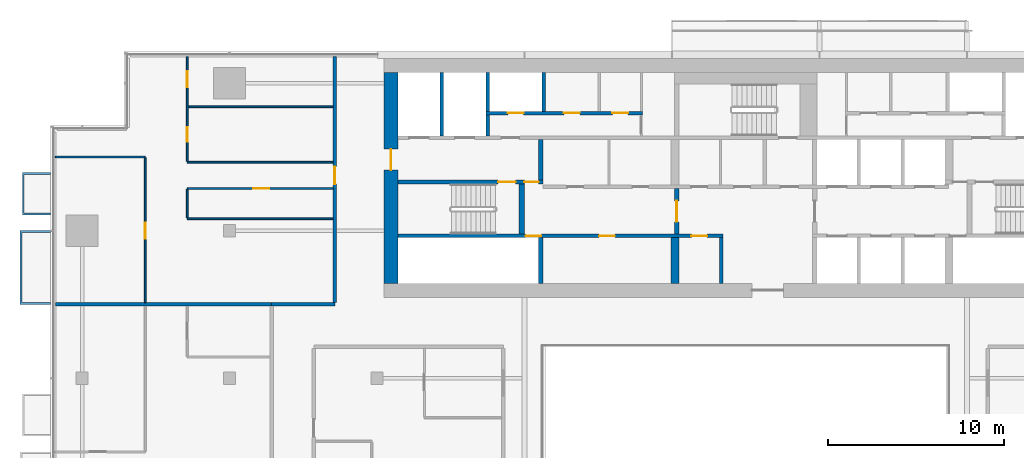
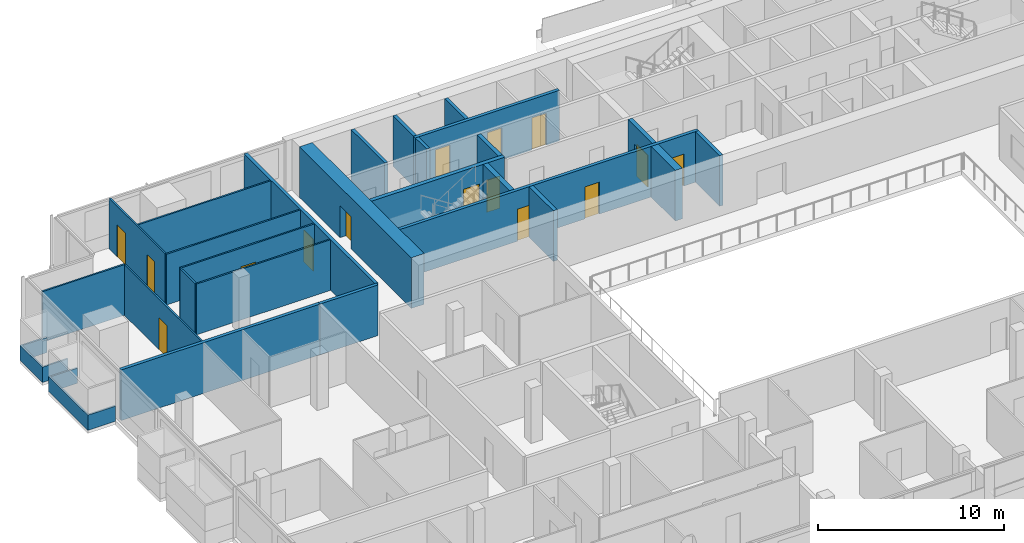
# One storey, part 21 of 28: 27 walls, 15 doors, 15 openings.
"""IFC4 building model written with IfcOpenShell, lengths in metres."""

from ifc_helpers import new_model, si_unit, direction, frame, frame_2d, origin, place, context, subcontext, project, spatial, polyline, rectangle, outline, extrude, material, layer, layer_set, type_object, element, fill, save


model = new_model("IFC4")

# Units and contexts
model_context = context("Model", 3, precision=1e-05, world=origin(), true_north=direction((0.0, 1.0)))
body_context = subcontext(model_context, "Body", "Model", "MODEL_VIEW")
ifc_project = project(units=[si_unit("LENGTHUNIT", "METRE"), si_unit("AREAUNIT", "SQUARE_METRE"), si_unit("VOLUMEUNIT", "CUBIC_METRE"), si_unit("PLANEANGLEUNIT", "RADIAN"), si_unit("MASSUNIT", "GRAM", prefix="KILO")], contexts=[model_context])

# Site, building, storey
site_placement = place(None, origin())
site = spatial("IfcSite", under=ifc_project, at=site_placement, CompositionType="ELEMENT")
building_placement = place(site_placement, origin())
building = spatial("IfcBuilding", under=site, at=building_placement, Name="Saffron Gate Tower", CompositionType="ELEMENT")
storey_placement = place(building_placement, frame((0.0, 0.0, 151.050048828125)))
storey = spatial("IfcBuildingStorey", under=building, at=storey_placement, Name="L36", CompositionType="ELEMENT", Elevation=151.050048828125)

# Wall
ifc_material_1 = material(Name="Gypsum board partition on steel studs", Category="steel")
ifc_layer_1 = layer(ifc_material_1, 0.199951171875)
ifc_layer_set_1 = layer_set([ifc_layer_1], Name="CW10 Core partition 200")
wall_type_1 = type_object("IfcWallType", Name="CW10 Core partition 200", PredefinedType="PARTITIONING", material=ifc_layer_set_1)
wall_1_placement = place(storey_placement, frame((86.199951171875, 62.39990234375, 0.0), z_axis=(0.0, 0.0, 1.0), x_axis=(0.0, 1.0, 0.0)))
element("IfcWall", 1, at=wall_1_placement, inside=storey, type_object=wall_type_1, Name="Wall CW10-L36-7", PredefinedType="PARTITIONING", context=body_context, shape_type="SweptSolid", body=[
    extrude(rectangle(XDim=2.60009765625, YDim=0.199951171875, at=frame_2d((1.300048828125, 0.0))), origin(), (0.0, 0.0, 1.0), 3.320068359375),
])

# Wall, opening, door
ifc_material_2 = material(Name="Concrete C60", Category="concrete")
ifc_layer_2 = layer(ifc_material_2, 0.800048828125)
ifc_layer_set_2 = layer_set([ifc_layer_2], Name="CW13 RC core wall 800 C60")
wall_type_2 = type_object("IfcWallType", Name="CW13 RC core wall 800 C60", PredefinedType="SOLIDWALL", material=ifc_layer_set_2)
wall_2_placement = place(storey_placement, frame((67.39990234375, 62.39990234375, 0.0), z_axis=(0.0, 0.0, 1.0), x_axis=(0.0, 1.0, 0.0)))
wall_2 = element("IfcWall", 2, at=wall_2_placement, inside=storey, type_object=wall_type_2, Name="Wall CW13-L36-3", PredefinedType="SOLIDWALL", context=body_context, shape_type="SweptSolid", body=[
    extrude(rectangle(XDim=12.0, YDim=0.800048828125, at=frame_2d((6.0, 0.0))), origin(), (0.0, 0.0, 1.0), 3.320068359375),
])
opening_1_placement = place(wall_2_placement, frame((6.449951171875, 0.0, 0.0)))
opening_1 = element("IfcOpeningElement", 3, at=opening_1_placement, cuts=wall_2, Name="Opening CR-10", PredefinedType="OPENING", context=body_context, shape_type="SweptSolid", body=[
    extrude(rectangle(XDim=1.199951171875, YDim=2.10009765625, at=frame_2d((0.60009765625, 1.050048828125))), frame((0.0, 0.41015625, 0.0), z_axis=(0.0, -1.0, 0.0), x_axis=(1.0, 0.0, 0.0)), (0.0, 0.0, 1.0), 0.820068359375),
])
ifc_material_3 = material(Name="Steel fire door set", Category="steel")
door_type_1 = type_object("IfcDoorType", Name="CD7 Core entrance door 1200x2100 EI 120", OperationType="NOTDEFINED", PredefinedType="DOOR", material=ifc_material_3)
door_1_placement = place(opening_1_placement, origin())
door_1 = element("IfcDoor", 4, at=door_1_placement, inside=storey, type_object=door_type_1, Name="DOOR CR-10", OperationType="SINGLE_SWING_LEFT", OverallHeight=2.10009765625, OverallWidth=1.199951171875, PredefinedType="DOOR", context=body_context, shape_type="SweptSolid", body=[
    extrude(rectangle(XDim=1.199951171875, YDim=2.10009765625, at=frame_2d((0.60009765625, 1.050048828125))), frame((0.0, 0.02490234375, 0.0), z_axis=(0.0, -1.0, 0.0), x_axis=(1.0, 0.0, 0.0)), (0.0, 0.0, 1.0), 0.050048828125),
])
fill(opening_1, door_1)

# Wall
ifc_layer_3 = layer(ifc_material_2, 0.25)
ifc_layer_set_3 = layer_set([ifc_layer_3], Name="CW14 RC core wall 250 C60")
wall_type_3 = type_object("IfcWallType", Name="CW14 RC core wall 250 C60", PredefinedType="SOLIDWALL", material=ifc_layer_set_3)
wall_3_placement = place(storey_placement, frame((75.925048828125, 62.39990234375, 0.0), z_axis=(0.0, 0.0, 1.0), x_axis=(0.0, 1.0, 0.0)))
element("IfcWall", 5, at=wall_3_placement, inside=storey, type_object=wall_type_3, Name="Wall CW14-L36-5", PredefinedType="SOLIDWALL", context=body_context, shape_type="SweptSolid", body=[
    extrude(rectangle(XDim=2.60009765625, YDim=0.25, at=frame_2d((1.300048828125, 0.0))), origin(), (0.0, 0.0, 1.0), 3.320068359375),
])

# Wall, opening, door
wall_4_placement = place(storey_placement, frame((83.675048828125, 65.199951171875, 0.0), z_axis=(0.0, 0.0, 1.0), x_axis=(0.0, 1.0, 0.0)))
wall_4 = element("IfcWall", 6, at=wall_4_placement, inside=storey, type_object=wall_type_3, Name="Wall CW14-L36-15", PredefinedType="SOLIDWALL", context=body_context, shape_type="SweptSolid", body=[
    extrude(rectangle(XDim=2.60009765625, YDim=0.25, at=frame_2d((1.300048828125, 0.0))), origin(), (0.0, 0.0, 1.0), 3.320068359375),
])
opening_2_placement = place(wall_4_placement, frame((0.699951171875, 0.0, 0.0)))
opening_2 = element("IfcOpeningElement", 7, at=opening_2_placement, cuts=wall_4, Name="Opening CR-07", PredefinedType="OPENING", context=body_context, shape_type="SweptSolid", body=[
    extrude(rectangle(XDim=1.199951171875, YDim=2.10009765625, at=frame_2d((0.60009765625, 1.050048828125))), frame((0.0, 0.135009765625, 0.0), z_axis=(0.0, -1.0, 0.0), x_axis=(1.0, 0.0, 0.0)), (0.0, 0.0, 1.0), 0.27001953125),
])
door_type_2 = type_object("IfcDoorType", Name="CD3 Lobby door 1200x2100 EI 120", OperationType="NOTDEFINED", PredefinedType="DOOR", material=ifc_material_3)
door_2_placement = place(opening_2_placement, origin())
door_2 = element("IfcDoor", 8, at=door_2_placement, inside=storey, type_object=door_type_2, Name="DOOR CR-07", OperationType="SINGLE_SWING_RIGHT", OverallHeight=2.10009765625, OverallWidth=1.199951171875, PredefinedType="DOOR", context=body_context, shape_type="SweptSolid", body=[
    extrude(rectangle(XDim=1.199951171875, YDim=2.10009765625, at=frame_2d((0.60009765625, 1.050048828125))), frame((0.0, 0.02490234375, 0.0), z_axis=(0.0, -1.0, 0.0), x_axis=(1.0, 0.0, 0.0)), (0.0, 0.0, 1.0), 0.050048828125),
])
fill(opening_2, door_2)

# Wall, openings, doors
wall_5_placement = place(storey_placement, frame((67.800048828125, 68.175048828125, 0.0), z_axis=(0.0, 0.0, 1.0), x_axis=(1.0, 0.0, 0.0)))
wall_5 = element("IfcWall", 9, at=wall_5_placement, inside=storey, type_object=wall_type_3, Name="Wall CW14-L36-27", PredefinedType="SOLIDWALL", context=body_context, shape_type="SweptSolid", body=[
    extrude(rectangle(XDim=8.25, YDim=0.25, at=frame_2d((4.125, 0.0))), origin(), (0.0, 0.0, 1.0), 3.320068359375),
])
opening_3_placement = place(wall_5_placement, frame((5.699951171875, 0.0, 0.0)))
opening_3 = element("IfcOpeningElement", 10, at=opening_3_placement, cuts=wall_5, Name="Opening CR-15", PredefinedType="OPENING", context=body_context, shape_type="SweptSolid", body=[
    extrude(rectangle(XDim=1.0, YDim=2.10009765625, at=frame_2d((0.5, 1.050048828125))), frame((0.0, 0.135009765625, 0.0), z_axis=(0.0, -1.0, 0.0), x_axis=(1.0, 0.0, 0.0)), (0.0, 0.0, 1.0), 0.27001953125),
])
opening_4_placement = place(wall_5_placement, frame((7.199951171875, 0.0, 0.0)))
opening_4 = element("IfcOpeningElement", 11, at=opening_4_placement, cuts=wall_5, Name="Opening CR-06", PredefinedType="OPENING", context=body_context, shape_type="SweptSolid", body=[
    extrude(rectangle(XDim=0.800048828125, YDim=2.10009765625, at=frame_2d((0.39990234375, 1.050048828125))), frame((0.0, 0.135009765625, 0.0), z_axis=(0.0, -1.0, 0.0), x_axis=(1.0, 0.0, 0.0)), (0.0, 0.0, 1.0), 0.27001953125),
])
door_type_3 = type_object("IfcDoorType", Name="CD5 Stair door 1000x2100 EI 120", OperationType="NOTDEFINED", PredefinedType="DOOR", material=ifc_material_3)
door_3_placement = place(opening_3_placement, origin())
door_3 = element("IfcDoor", 12, at=door_3_placement, inside=storey, type_object=door_type_3, Name="DOOR CR-15", OperationType="SINGLE_SWING_RIGHT", OverallHeight=2.10009765625, OverallWidth=1.0, PredefinedType="DOOR", context=body_context, shape_type="SweptSolid", body=[
    extrude(rectangle(XDim=1.0, YDim=2.10009765625, at=frame_2d((0.5, 1.050048828125))), frame((0.0, 0.02490234375, 0.0), z_axis=(0.0, -1.0, 0.0), x_axis=(1.0, 0.0, 0.0)), (0.0, 0.0, 1.0), 0.050048828125),
])
fill(opening_3, door_3)
door_type_4 = type_object("IfcDoorType", Name="CD6 Lobby door 800x2100 EI 120", OperationType="NOTDEFINED", PredefinedType="DOOR", material=ifc_material_3)
door_4_placement = place(opening_4_placement, origin())
door_4 = element("IfcDoor", 13, at=door_4_placement, inside=storey, type_object=door_type_4, Name="DOOR CR-06", OperationType="SINGLE_SWING_LEFT", OverallHeight=2.10009765625, OverallWidth=0.800048828125, PredefinedType="DOOR", context=body_context, shape_type="SweptSolid", body=[
    extrude(rectangle(XDim=0.800048828125, YDim=2.10009765625, at=frame_2d((0.39990234375, 1.050048828125))), frame((0.0, 0.02490234375, 0.0), z_axis=(0.0, -1.0, 0.0), x_axis=(1.0, 0.0, 0.0)), (0.0, 0.0, 1.0), 0.050048828125),
])
fill(opening_4, door_4)

# Wall
wall_6_placement = place(storey_placement, frame((75.925048828125, 68.300048828125, 0.0), z_axis=(0.0, 0.0, 1.0), x_axis=(0.0, 1.0, 0.0)))
element("IfcWall", 14, at=wall_6_placement, inside=storey, type_object=wall_type_3, Name="Wall CW14-L36-29", PredefinedType="SOLIDWALL", context=body_context, shape_type="SweptSolid", body=[
    extrude(rectangle(XDim=2.300048828125, YDim=0.25, at=frame_2d((1.14990234375, 0.0))), origin(), (0.0, 0.0, 1.0), 3.320068359375),
])

# Wall, openings, doors
ifc_layer_4 = layer(ifc_material_2, 0.199951171875)
ifc_layer_set_4 = layer_set([ifc_layer_4], Name="CW15 RC core wall 200 C60")
wall_type_4 = type_object("IfcWallType", Name="CW15 RC core wall 200 C60", PredefinedType="SOLIDWALL", material=ifc_layer_set_4)
wall_7_placement = place(storey_placement, frame((67.800048828125, 65.10009765625, 0.0), z_axis=(0.0, 0.0, 1.0), x_axis=(1.0, 0.0, 0.0)))
wall_7 = element("IfcWall", 15, at=wall_7_placement, inside=storey, type_object=wall_type_4, Name="Wall CW15-L36-12", PredefinedType="SOLIDWALL", context=body_context, shape_type="SweptSolid", body=[
    extrude(rectangle(XDim=18.5, YDim=0.199951171875, at=frame_2d((9.25, 0.0))), origin(), (0.0, 0.0, 1.0), 3.320068359375),
])
opening_5_placement = place(wall_7_placement, frame((7.27001953125, 0.0, 0.0)))
opening_5 = element("IfcOpeningElement", 16, at=opening_5_placement, cuts=wall_7, Name="Opening CR-49", PredefinedType="OPENING", context=body_context, shape_type="SweptSolid", body=[
    extrude(rectangle(XDim=0.89990234375, YDim=2.10009765625, at=frame_2d((0.449951171875, 1.050048828125))), frame((0.0, 0.10986328125, 0.0), z_axis=(0.0, -1.0, 0.0), x_axis=(1.0, 0.0, 0.0)), (0.0, 0.0, 1.0), 0.219970703125),
])
opening_6_placement = place(wall_7_placement, frame((11.449951171875, 0.0, 0.0)))
opening_6 = element("IfcOpeningElement", 17, at=opening_6_placement, cuts=wall_7, Name="Opening CR-64", PredefinedType="OPENING", context=body_context, shape_type="SweptSolid", body=[
    extrude(rectangle(XDim=0.89990234375, YDim=2.10009765625, at=frame_2d((0.449951171875, 1.050048828125))), frame((0.0, 0.10986328125, 0.0), z_axis=(0.0, -1.0, 0.0), x_axis=(1.0, 0.0, 0.0)), (0.0, 0.0, 1.0), 0.219970703125),
])
opening_7_placement = place(wall_7_placement, frame((16.699951171875, 0.0, 0.0)))
opening_7 = element("IfcOpeningElement", 18, at=opening_7_placement, cuts=wall_7, Name="Opening CR-69", PredefinedType="OPENING", context=body_context, shape_type="SweptSolid", body=[
    extrude(rectangle(XDim=0.89990234375, YDim=2.10009765625, at=frame_2d((0.449951171875, 1.050048828125))), frame((0.0, 0.10986328125, 0.0), z_axis=(0.0, -1.0, 0.0), x_axis=(1.0, 0.0, 0.0)), (0.0, 0.0, 1.0), 0.219970703125),
])
door_type_5 = type_object("IfcDoorType", Name="CD2 Riser door 900x2100 EI 60", OperationType="NOTDEFINED", PredefinedType="DOOR", material=ifc_material_3)
door_5_placement = place(opening_5_placement, origin())
door_5 = element("IfcDoor", 19, at=door_5_placement, inside=storey, type_object=door_type_5, Name="DOOR CR-49", OperationType="SINGLE_SWING_LEFT", OverallHeight=2.10009765625, OverallWidth=0.89990234375, PredefinedType="DOOR", context=body_context, shape_type="SweptSolid", body=[
    extrude(rectangle(XDim=0.89990234375, YDim=2.10009765625, at=frame_2d((0.449951171875, 1.050048828125))), frame((0.0, 0.02490234375, 0.0), z_axis=(0.0, -1.0, 0.0), x_axis=(1.0, 0.0, 0.0)), (0.0, 0.0, 1.0), 0.050048828125),
])
fill(opening_5, door_5)
door_type_6 = type_object("IfcDoorType", Name="CD9 Room door 900x2100 EI 60", OperationType="NOTDEFINED", PredefinedType="DOOR", material=ifc_material_3)
door_6_placement = place(opening_6_placement, origin())
door_6 = element("IfcDoor", 20, at=door_6_placement, inside=storey, type_object=door_type_6, Name="DOOR CR-64", OperationType="SINGLE_SWING_RIGHT", OverallHeight=2.10009765625, OverallWidth=0.89990234375, PredefinedType="DOOR", context=body_context, shape_type="SweptSolid", body=[
    extrude(rectangle(XDim=0.89990234375, YDim=2.10009765625, at=frame_2d((0.449951171875, 1.050048828125))), frame((0.0, 0.02490234375, 0.0), z_axis=(0.0, -1.0, 0.0), x_axis=(1.0, 0.0, 0.0)), (0.0, 0.0, 1.0), 0.050048828125),
])
fill(opening_6, door_6)
door_7_placement = place(opening_7_placement, origin())
door_7 = element("IfcDoor", 21, at=door_7_placement, inside=storey, type_object=door_type_6, Name="DOOR CR-69", OperationType="SINGLE_SWING_RIGHT", OverallHeight=2.10009765625, OverallWidth=0.89990234375, PredefinedType="DOOR", context=body_context, shape_type="SweptSolid", body=[
    extrude(rectangle(XDim=0.89990234375, YDim=2.10009765625, at=frame_2d((0.449951171875, 1.050048828125))), frame((0.0, 0.02490234375, 0.0), z_axis=(0.0, -1.0, 0.0), x_axis=(1.0, 0.0, 0.0)), (0.0, 0.0, 1.0), 0.050048828125),
])
fill(opening_7, door_7)

# Walls
wall_8_placement = place(storey_placement, frame((70.300048828125, 70.800048828125, 0.0), z_axis=(0.0, 0.0, 1.0), x_axis=(0.0, 1.0, 0.0)))
element("IfcWall", 22, at=wall_8_placement, inside=storey, type_object=wall_type_4, Name="Wall CW15-L36-32", PredefinedType="SOLIDWALL", context=body_context, shape_type="SweptSolid", body=[
    extrude(rectangle(XDim=3.599853515625, YDim=0.199951171875, at=frame_2d((1.7998046875, 0.0))), origin(), (0.0, 0.0, 1.0), 3.320068359375),
])
wall_9_placement = place(storey_placement, frame((72.89990234375, 70.800048828125, 0.0), z_axis=(0.0, 0.0, 1.0), x_axis=(0.0, 1.0, 0.0)))
element("IfcWall", 23, at=wall_9_placement, inside=storey, type_object=wall_type_4, Name="Wall CW15-L36-33", PredefinedType="SOLIDWALL", context=body_context, shape_type="SweptSolid", body=[
    extrude(rectangle(XDim=1.199951171875, YDim=0.199951171875, at=frame_2d((0.60009765625, 0.0))), origin(), (0.0, 0.0, 1.0), 3.320068359375),
])

# Wall, openings, doors
wall_10_placement = place(storey_placement, frame((72.800048828125, 72.10009765625, 0.0), z_axis=(0.0, 0.0, 1.0), x_axis=(1.0, 0.0, 0.0)))
wall_10 = element("IfcWall", 24, at=wall_10_placement, inside=storey, type_object=wall_type_4, Name="Wall CW15-L36-40", PredefinedType="SOLIDWALL", context=body_context, shape_type="SweptSolid", body=[
    extrude(rectangle(XDim=8.919921875, YDim=0.199951171875, at=frame_2d((4.4599609375, 0.0))), origin(), (0.0, 0.0, 1.0), 3.320068359375),
])
opening_8_placement = place(wall_10_placement, frame((1.25, 0.0, 0.0)))
opening_8 = element("IfcOpeningElement", 25, at=opening_8_placement, cuts=wall_10, Name="Opening CR-71", PredefinedType="OPENING", context=body_context, shape_type="SweptSolid", body=[
    extrude(rectangle(XDim=0.89990234375, YDim=2.10009765625, at=frame_2d((0.449951171875, 1.050048828125))), frame((0.0, 0.10986328125, 0.0), z_axis=(0.0, -1.0, 0.0), x_axis=(1.0, 0.0, 0.0)), (0.0, 0.0, 1.0), 0.219970703125),
])
opening_9_placement = place(wall_10_placement, frame((4.449951171875, 0.0, 0.0)))
opening_9 = element("IfcOpeningElement", 26, at=opening_9_placement, cuts=wall_10, Name="Opening CR-55", PredefinedType="OPENING", context=body_context, shape_type="SweptSolid", body=[
    extrude(rectangle(XDim=0.89990234375, YDim=2.10009765625, at=frame_2d((0.449951171875, 1.050048828125))), frame((0.0, 0.10986328125, 0.0), z_axis=(0.0, -1.0, 0.0), x_axis=(1.0, 0.0, 0.0)), (0.0, 0.0, 1.0), 0.219970703125),
])
opening_10_placement = place(wall_10_placement, frame((7.2099609375, 0.0, 0.0)))
opening_10 = element("IfcOpeningElement", 27, at=opening_10_placement, cuts=wall_10, Name="Opening CR-58", PredefinedType="OPENING", context=body_context, shape_type="SweptSolid", body=[
    extrude(rectangle(XDim=0.89990234375, YDim=2.10009765625, at=frame_2d((0.449951171875, 1.050048828125))), frame((0.0, 0.10986328125, 0.0), z_axis=(0.0, -1.0, 0.0), x_axis=(1.0, 0.0, 0.0)), (0.0, 0.0, 1.0), 0.219970703125),
])
door_8_placement = place(opening_8_placement, origin())
door_8 = element("IfcDoor", 28, at=door_8_placement, inside=storey, type_object=door_type_5, Name="DOOR CR-71", OperationType="SINGLE_SWING_LEFT", OverallHeight=2.10009765625, OverallWidth=0.89990234375, PredefinedType="DOOR", context=body_context, shape_type="SweptSolid", body=[
    extrude(rectangle(XDim=0.89990234375, YDim=2.10009765625, at=frame_2d((0.449951171875, 1.050048828125))), frame((0.0, 0.02490234375, 0.0), z_axis=(0.0, -1.0, 0.0), x_axis=(1.0, 0.0, 0.0)), (0.0, 0.0, 1.0), 0.050048828125),
])
fill(opening_8, door_8)
door_9_placement = place(opening_9_placement, origin())
door_9 = element("IfcDoor", 29, at=door_9_placement, inside=storey, type_object=door_type_6, Name="DOOR CR-55", OperationType="SINGLE_SWING_LEFT", OverallHeight=2.10009765625, OverallWidth=0.89990234375, PredefinedType="DOOR", context=body_context, shape_type="SweptSolid", body=[
    extrude(rectangle(XDim=0.89990234375, YDim=2.10009765625, at=frame_2d((0.449951171875, 1.050048828125))), frame((0.0, 0.02490234375, 0.0), z_axis=(0.0, -1.0, 0.0), x_axis=(1.0, 0.0, 0.0)), (0.0, 0.0, 1.0), 0.050048828125),
])
fill(opening_9, door_9)
door_10_placement = place(opening_10_placement, origin())
door_10 = element("IfcDoor", 30, at=door_10_placement, inside=storey, type_object=door_type_6, Name="DOOR CR-58", OperationType="SINGLE_SWING_LEFT", OverallHeight=2.10009765625, OverallWidth=0.89990234375, PredefinedType="DOOR", context=body_context, shape_type="SweptSolid", body=[
    extrude(rectangle(XDim=0.89990234375, YDim=2.10009765625, at=frame_2d((0.449951171875, 1.050048828125))), frame((0.0, 0.02490234375, 0.0), z_axis=(0.0, -1.0, 0.0), x_axis=(1.0, 0.0, 0.0)), (0.0, 0.0, 1.0), 0.050048828125),
])
fill(opening_10, door_10)

# Walls
for number, where, z_axis, x_axis, name in (
    (31, (72.89990234375, 72.199951171875, 0.0), (0.0, 0.0, 1.0), (0.0, 1.0, 0.0), "Wall CW15-L36-42"),
    (32, (76.10009765625, 72.199951171875, 0.0), (0.0, 0.0, 1.0), (0.0, 1.0, 0.0), "Wall CW15-L36-43"),
):
    element("IfcWall", number, at=place(storey_placement, frame(where, z_axis=z_axis, x_axis=x_axis)), inside=storey, type_object=wall_type_4, Name=name, PredefinedType="SOLIDWALL", context=body_context, shape_type="SweptSolid", body=[
        extrude(rectangle(XDim=2.199951171875, YDim=0.199951171875, at=frame_2d((1.10009765625, 0.0))), origin(), (0.0, 0.0, 1.0), 3.320068359375),
    ])
ifc_layer_5 = layer(ifc_material_2, 0.449951171875)
ifc_layer_set_5 = layer_set([ifc_layer_5], Name="CW16 RC core wall 450 C60")
wall_type_5 = type_object("IfcWallType", Name="CW16 RC core wall 450 C60", PredefinedType="SOLIDWALL", material=ifc_layer_set_5)
wall_11_placement = place(storey_placement, frame((83.574951171875, 62.39990234375, 0.0), z_axis=(0.0, 0.0, 1.0), x_axis=(0.0, 1.0, 0.0)))
element("IfcWall", 33, at=wall_11_placement, inside=storey, type_object=wall_type_5, Name="Wall CW16-L36-6", PredefinedType="SOLIDWALL", context=body_context, shape_type="SweptSolid", body=[
    extrude(rectangle(XDim=2.60009765625, YDim=0.449951171875, at=frame_2d((1.300048828125, 0.0))), origin(), (0.0, 0.0, 1.0), 3.320068359375),
])
ifc_layer_6 = layer(ifc_material_2, 0.300048828125)
ifc_layer_set_6 = layer_set([ifc_layer_6], Name="CW17 RC core wall 300 C60")
wall_type_6 = type_object("IfcWallType", Name="CW17 RC core wall 300 C60", PredefinedType="SOLIDWALL", material=ifc_layer_set_6)
wall_12_placement = place(storey_placement, frame((74.85009765625, 65.199951171875, 0.0), z_axis=(0.0, 0.0, 1.0), x_axis=(0.0, 1.0, 0.0)))
element("IfcWall", 34, at=wall_12_placement, inside=storey, type_object=wall_type_6, Name="Wall CW17-L36-14", PredefinedType="SOLIDWALL", context=body_context, shape_type="SweptSolid", body=[
    extrude(rectangle(XDim=2.85009765625, YDim=0.300048828125, at=frame_2d((1.425048828125, 0.0))), origin(), (0.0, 0.0, 1.0), 3.320068359375),
])
ifc_material_4 = material(Name="Plasterboard on steel studs", Category="steel")
ifc_layer_7 = layer(ifc_material_4, 0.10009765625)
ifc_layer_set_7 = layer_set([ifc_layer_7], Name="PW1 Partition 100")
wall_type_7 = type_object("IfcWallType", Name="PW1 Partition 100", PredefinedType="PARTITIONING", material=ifc_layer_set_7)
wall_13_placement = place(storey_placement, frame((55.800048828125, 66.0810546875, 0.0), z_axis=(0.0, 0.0, 1.0), x_axis=(1.0, 0.0, 0.0)))
element("IfcWall", 35, at=wall_13_placement, inside=storey, type_object=wall_type_7, Name="Partition C1-48", PredefinedType="PARTITIONING", context=body_context, shape_type="SweptSolid", body=[
    extrude(rectangle(XDim=8.300048828125, YDim=0.10009765625, at=frame_2d((4.14990234375, 0.0))), origin(), (0.0, 0.0, 1.0), 3.320068359375),
])

# Wall, opening, door
wall_14_placement = place(storey_placement, frame((64.10009765625, 67.800048828125, 0.0), z_axis=(0.0, 0.0, 1.0), x_axis=(-1.0, 0.0, 0.0)))
wall_14 = element("IfcWall", 36, at=wall_14_placement, inside=storey, type_object=wall_type_7, Name="Partition C1-50", PredefinedType="PARTITIONING", context=body_context, shape_type="SweptSolid", body=[
    extrude(rectangle(XDim=8.300048828125, YDim=0.10009765625, at=frame_2d((4.14990234375, 0.0))), origin(), (0.0, 0.0, 1.0), 3.320068359375),
])
opening_11_placement = place(wall_14_placement, frame((3.64990234375, 0.0, 0.0)))
opening_11 = element("IfcOpeningElement", 37, at=opening_11_placement, cuts=wall_14, Name="Opening C1-29", PredefinedType="OPENING", context=body_context, shape_type="SweptSolid", body=[
    extrude(rectangle(XDim=0.89990234375, YDim=2.10009765625, at=frame_2d((0.449951171875, 1.050048828125))), frame((0.0, 0.06005859375, 0.0), z_axis=(0.0, -1.0, 0.0), x_axis=(1.0, 0.0, 0.0)), (0.0, 0.0, 1.0), 0.1201171875),
])
ifc_material_5 = material(Name="Timber door set", Category="wood")
door_type_7 = type_object("IfcDoorType", Name="RD1 Room door 900x2100", OperationType="NOTDEFINED", PredefinedType="DOOR", material=ifc_material_5)
door_11_placement = place(opening_11_placement, origin())
door_11 = element("IfcDoor", 38, at=door_11_placement, inside=storey, type_object=door_type_7, Name="Door C1-29", OperationType="SINGLE_SWING_LEFT", OverallHeight=2.10009765625, OverallWidth=0.89990234375, PredefinedType="DOOR", context=body_context, shape_type="SweptSolid", body=[
    extrude(rectangle(XDim=0.89990234375, YDim=2.10009765625, at=frame_2d((0.449951171875, 1.050048828125))), frame((0.0, 0.02490234375, 0.0), z_axis=(0.0, -1.0, 0.0), x_axis=(1.0, 0.0, 0.0)), (0.0, 0.0, 1.0), 0.050048828125),
])
fill(opening_11, door_11)

# Walls
wall_15_placement = place(storey_placement, frame((55.800048828125, 69.300048828125, 0.0), z_axis=(0.0, 0.0, 1.0), x_axis=(1.0, 0.0, 0.0)))
element("IfcWall", 39, at=wall_15_placement, inside=storey, type_object=wall_type_7, Name="Partition C1-51", PredefinedType="PARTITIONING", context=body_context, shape_type="SweptSolid", body=[
    extrude(rectangle(XDim=8.300048828125, YDim=0.10009765625, at=frame_2d((4.14990234375, 0.0))), origin(), (0.0, 0.0, 1.0), 3.320068359375),
])
wall_16_placement = place(storey_placement, frame((48.280029296875, 69.60009765625, 0.0), z_axis=(0.0, 0.0, 1.0), x_axis=(1.0, 0.0, 0.0)))
element("IfcWall", 40, at=wall_16_placement, inside=storey, type_object=wall_type_7, Name="Partition C1-52", PredefinedType="PARTITIONING", context=body_context, shape_type="SweptSolid", body=[
    extrude(rectangle(XDim=5.119873046875, YDim=0.10009765625, at=frame_2d((2.56005859375, 0.0))), origin(), (0.0, 0.0, 1.0), 3.320068359375),
])
wall_17_placement = place(storey_placement, frame((55.85009765625, 72.454833984375, 0.0), z_axis=(0.0, 0.0, 1.0), x_axis=(1.0, 0.0, 0.0)))
element("IfcWall", 41, at=wall_17_placement, inside=storey, type_object=wall_type_7, Name="Partition C1-56", PredefinedType="PARTITIONING", context=body_context, shape_type="SweptSolid", body=[
    extrude(rectangle(XDim=8.25, YDim=0.10009765625, at=frame_2d((4.125, 0.0))), origin(), (0.0, 0.0, 1.0), 3.320068359375),
])
wall_18_placement = place(storey_placement, frame((55.800048828125, 67.75, 0.0), z_axis=(0.0, 0.0, 1.0), x_axis=(0.0, -1.0, 0.0)))
element("IfcWall", 42, at=wall_18_placement, inside=storey, type_object=wall_type_7, Name="Partition C1-62", PredefinedType="PARTITIONING", context=body_context, shape_type="SweptSolid", body=[
    extrude(rectangle(XDim=1.618896484375, YDim=0.10009765625, at=frame_2d((0.8095703125, 0.0))), origin(), (0.0, 0.0, 1.0), 3.320068359375),
])

# Wall, openings, doors
wall_19_placement = place(storey_placement, frame((55.800048828125, 75.320068359375, 0.0), z_axis=(0.0, 0.0, 1.0), x_axis=(0.0, -1.0, 0.0)))
wall_19 = element("IfcWall", 43, at=wall_19_placement, inside=storey, type_object=wall_type_7, Name="Partition C1-63", PredefinedType="PARTITIONING", context=body_context, shape_type="SweptSolid", body=[
    extrude(rectangle(XDim=5.969970703125, YDim=0.10009765625, at=frame_2d((2.98486328125, 0.0))), origin(), (0.0, 0.0, 1.0), 3.320068359375),
])
opening_12_placement = place(wall_19_placement, frame((0.842529296875, 0.0, 0.0)))
opening_12 = element("IfcOpeningElement", 44, at=opening_12_placement, cuts=wall_19, Name="Opening C1-30", PredefinedType="OPENING", context=body_context, shape_type="SweptSolid", body=[
    extrude(rectangle(XDim=0.89990234375, YDim=2.10009765625, at=frame_2d((0.449951171875, 1.050048828125))), frame((0.0, 0.06005859375, 0.0), z_axis=(0.0, -1.0, 0.0), x_axis=(1.0, 0.0, 0.0)), (0.0, 0.0, 1.0), 0.1201171875),
])
opening_13_placement = place(wall_19_placement, frame((4.04248046875, 0.0, 0.0)))
opening_13 = element("IfcOpeningElement", 45, at=opening_13_placement, cuts=wall_19, Name="Opening C1-48", PredefinedType="OPENING", context=body_context, shape_type="SweptSolid", body=[
    extrude(rectangle(XDim=0.800048828125, YDim=2.10009765625, at=frame_2d((0.39990234375, 1.050048828125))), frame((0.0, 0.06005859375, 0.0), z_axis=(0.0, -1.0, 0.0), x_axis=(1.0, 0.0, 0.0)), (0.0, 0.0, 1.0), 0.1201171875),
])
door_12_placement = place(opening_12_placement, origin())
door_12 = element("IfcDoor", 46, at=door_12_placement, inside=storey, type_object=door_type_7, Name="Door C1-30", OperationType="SINGLE_SWING_LEFT", OverallHeight=2.10009765625, OverallWidth=0.89990234375, PredefinedType="DOOR", context=body_context, shape_type="SweptSolid", body=[
    extrude(rectangle(XDim=0.89990234375, YDim=2.10009765625, at=frame_2d((0.449951171875, 1.050048828125))), frame((0.0, 0.02490234375, 0.0), z_axis=(0.0, -1.0, 0.0), x_axis=(1.0, 0.0, 0.0)), (0.0, 0.0, 1.0), 0.050048828125),
])
fill(opening_12, door_12)
door_type_8 = type_object("IfcDoorType", Name="RD2 Bathroom door 800x2100", OperationType="NOTDEFINED", PredefinedType="DOOR", material=ifc_material_5)
door_13_placement = place(opening_13_placement, origin())
door_13 = element("IfcDoor", 47, at=door_13_placement, inside=storey, type_object=door_type_8, Name="Door C1-48", OperationType="SINGLE_SWING_RIGHT", OverallHeight=2.10009765625, OverallWidth=0.800048828125, PredefinedType="DOOR", context=body_context, shape_type="SweptSolid", body=[
    extrude(rectangle(XDim=0.800048828125, YDim=2.10009765625, at=frame_2d((0.39990234375, 1.050048828125))), frame((0.0, 0.02490234375, 0.0), z_axis=(0.0, -1.0, 0.0), x_axis=(1.0, 0.0, 0.0)), (0.0, 0.0, 1.0), 0.050048828125),
])
fill(opening_13, door_13)

# Wall, opening, door
wall_20_placement = place(storey_placement, frame((53.39990234375, 61.300048828125, 0.0), z_axis=(0.0, 0.0, 1.0), x_axis=(0.0, 1.0, 0.0)))
wall_20 = element("IfcWall", 48, at=wall_20_placement, inside=storey, type_object=wall_type_7, Name="Partition C1-121", PredefinedType="PARTITIONING", context=body_context, shape_type="SweptSolid", body=[
    extrude(rectangle(XDim=8.25, YDim=0.10009765625, at=frame_2d((4.125, 0.0))), origin(), (0.0, 0.0, 1.0), 3.320068359375),
])
opening_14_placement = place(wall_20_placement, frame((3.64990234375, 0.0, 0.0)))
opening_14 = element("IfcOpeningElement", 49, at=opening_14_placement, cuts=wall_20, Name="Opening C1-28", PredefinedType="OPENING", context=body_context, shape_type="SweptSolid", body=[
    extrude(rectangle(XDim=0.89990234375, YDim=2.10009765625, at=frame_2d((0.449951171875, 1.050048828125))), frame((0.0, 0.06005859375, 0.0), z_axis=(0.0, -1.0, 0.0), x_axis=(1.0, 0.0, 0.0)), (0.0, 0.0, 1.0), 0.1201171875),
])
door_14_placement = place(opening_14_placement, origin())
door_14 = element("IfcDoor", 50, at=door_14_placement, inside=storey, type_object=door_type_7, Name="Door C1-28", OperationType="SINGLE_SWING_LEFT", OverallHeight=2.10009765625, OverallWidth=0.89990234375, PredefinedType="DOOR", context=body_context, shape_type="SweptSolid", body=[
    extrude(rectangle(XDim=0.89990234375, YDim=2.10009765625, at=frame_2d((0.449951171875, 1.050048828125))), frame((0.0, 0.02490234375, 0.0), z_axis=(0.0, -1.0, 0.0), x_axis=(1.0, 0.0, 0.0)), (0.0, 0.0, 1.0), 0.050048828125),
])
fill(opening_14, door_14)

# Walls
ifc_material_6 = material(Name="Clay brick masonry, rendered", Category="masonry")
ifc_layer_8 = layer(ifc_material_6, 0.199951171875)
ifc_layer_set_8 = layer_set([ifc_layer_8], Name="PW2 Demising wall 200")
wall_type_8 = type_object("IfcWallType", Name="PW2 Demising wall 200", PredefinedType="PARTITIONING", material=ifc_layer_set_8)
wall_21_placement = place(storey_placement, frame((48.280029296875, 61.199951171875, 0.0), z_axis=(0.0, 0.0, 1.0), x_axis=(1.0, 0.0, 0.0)))
element("IfcWall", 51, at=wall_21_placement, inside=storey, type_object=wall_type_8, Name="Wall C1-44", PredefinedType="PARTITIONING", context=body_context, shape_type="SweptSolid", body=[
    extrude(rectangle(XDim=12.320068359375, YDim=0.199951171875, at=frame_2d((6.16015625, 0.0))), origin(), (0.0, 0.0, 1.0), 3.320068359375),
])
ifc_layer_9 = layer(ifc_material_6, 0.199951171875)
ifc_layer_set_9 = layer_set([ifc_layer_9], Name="PW3 Corridor wall 200")
wall_type_9 = type_object("IfcWallType", Name="PW3 Corridor wall 200", PredefinedType="PARTITIONING", material=ifc_layer_set_9)
wall_22_placement = place(storey_placement, frame((60.60009765625, 61.199951171875, 0.0), z_axis=(0.0, 0.0, 1.0), x_axis=(1.0, 0.0, 0.0)))
element("IfcWall", 52, at=wall_22_placement, inside=storey, type_object=wall_type_9, Name="Wall C1-42", PredefinedType="PARTITIONING", context=body_context, shape_type="SweptSolid", body=[
    extrude(rectangle(XDim=3.599853515625, YDim=0.199951171875, at=frame_2d((1.7998046875, 0.0))), origin(), (0.0, 0.0, 1.0), 3.320068359375),
])

# Wall, opening, door
wall_23_placement = place(storey_placement, frame((64.199951171875, 61.300048828125, 0.0), z_axis=(0.0, 0.0, 1.0), x_axis=(0.0, 1.0, 0.0)))
wall_23 = element("IfcWall", 53, at=wall_23_placement, inside=storey, type_object=wall_type_9, Name="Wall C1-70", PredefinedType="PARTITIONING", context=body_context, shape_type="SweptSolid", body=[
    extrude(rectangle(XDim=14.02001953125, YDim=0.199951171875, at=frame_2d((7.010009765625, 0.0))), origin(), (0.0, 0.0, 1.0), 3.320068359375),
])
opening_15_placement = place(wall_23_placement, frame((6.75, 0.0, 0.0)))
opening_15 = element("IfcOpeningElement", 54, at=opening_15_placement, cuts=wall_23, Name="Opening C1-6", PredefinedType="OPENING", context=body_context, shape_type="SweptSolid", body=[
    extrude(rectangle(XDim=1.0, YDim=2.10009765625, at=frame_2d((0.5, 1.050048828125))), frame((0.0, 0.10986328125, 0.0), z_axis=(0.0, -1.0, 0.0), x_axis=(1.0, 0.0, 0.0)), (0.0, 0.0, 1.0), 0.219970703125),
])
ifc_material_7 = material(Name="Timber fire door set", Category="wood")
door_type_9 = type_object("IfcDoorType", Name="FD1 Flat entry door 1000x2100", OperationType="NOTDEFINED", PredefinedType="DOOR", material=ifc_material_7)
door_15_placement = place(opening_15_placement, origin())
door_15 = element("IfcDoor", 55, at=door_15_placement, inside=storey, type_object=door_type_9, Name="Door C1-6", OperationType="SINGLE_SWING_LEFT", OverallHeight=2.10009765625, OverallWidth=1.0, PredefinedType="DOOR", context=body_context, shape_type="SweptSolid", body=[
    extrude(rectangle(XDim=1.0, YDim=2.10009765625, at=frame_2d((0.5, 1.050048828125))), frame((0.0, 0.02490234375, 0.0), z_axis=(0.0, -1.0, 0.0), x_axis=(1.0, 0.0, 0.0)), (0.0, 0.0, 1.0), 0.050048828125),
])
fill(opening_15, door_15)

# Walls
ifc_material_8 = material(Name="Rendered insulated panel, white")
ifc_layer_10 = layer(ifc_material_8, 0.10009765625)
ifc_layer_set_10 = layer_set([ifc_layer_10], Name="WB3 box parapet white")
wall_type_10 = type_object("IfcWallType", Name="WB3 box parapet white", PredefinedType="SOLIDWALL", material=ifc_layer_set_10)
wall_24_placement = place(storey_placement, origin())
element("IfcWall", 56, at=wall_24_placement, inside=storey, type_object=wall_type_10, Name="WINDOW BOX parapet", PredefinedType="SOLIDWALL", context=body_context, shape_type="SweptSolid", body=[
    extrude(outline(polyline([(48.0, 68.699951171875), (48.0, 68.60009765625), (46.5, 68.60009765625), (46.5, 66.39990234375), (48.0, 66.39990234375), (48.0, 66.300048828125), (46.39990234375, 66.300048828125), (46.39990234375, 68.699951171875), (48.0, 68.699951171875)])), origin(), (0.0, 0.0, 1.0), 1.0),
])
wall_25_placement = place(storey_placement, origin())
element("IfcWall", 57, at=wall_25_placement, inside=storey, type_object=wall_type_10, Name="WINDOW BOX parapet", PredefinedType="SOLIDWALL", context=body_context, shape_type="SweptSolid", body=[
    extrude(outline(polyline([(48.0, 65.39990234375), (48.0, 65.300048828125), (46.366943359375, 65.300048828125), (46.366943359375, 61.300048828125), (48.0, 61.300048828125), (48.0, 61.199951171875), (46.26708984375, 61.199951171875), (46.26708984375, 65.39990234375), (48.0, 65.39990234375)])), origin(), (0.0, 0.0, 1.0), 1.0),
])

save(model, "model.ifc")
